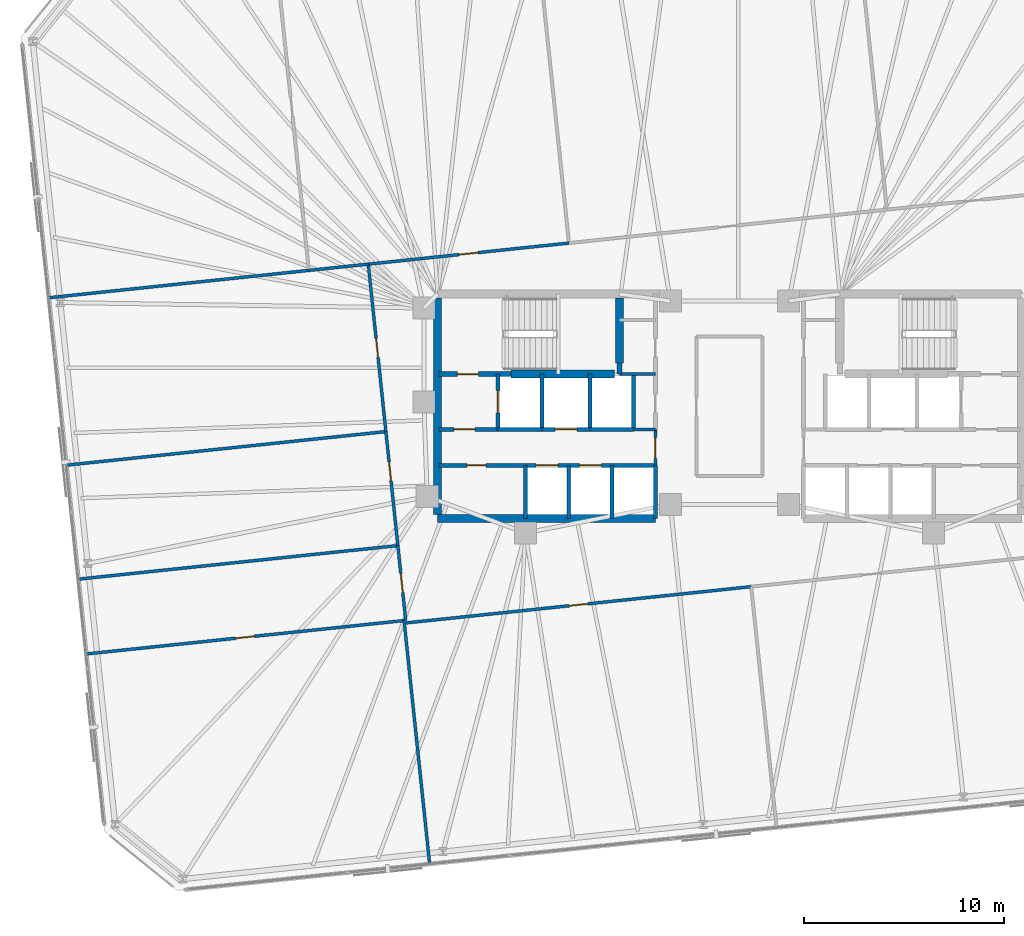
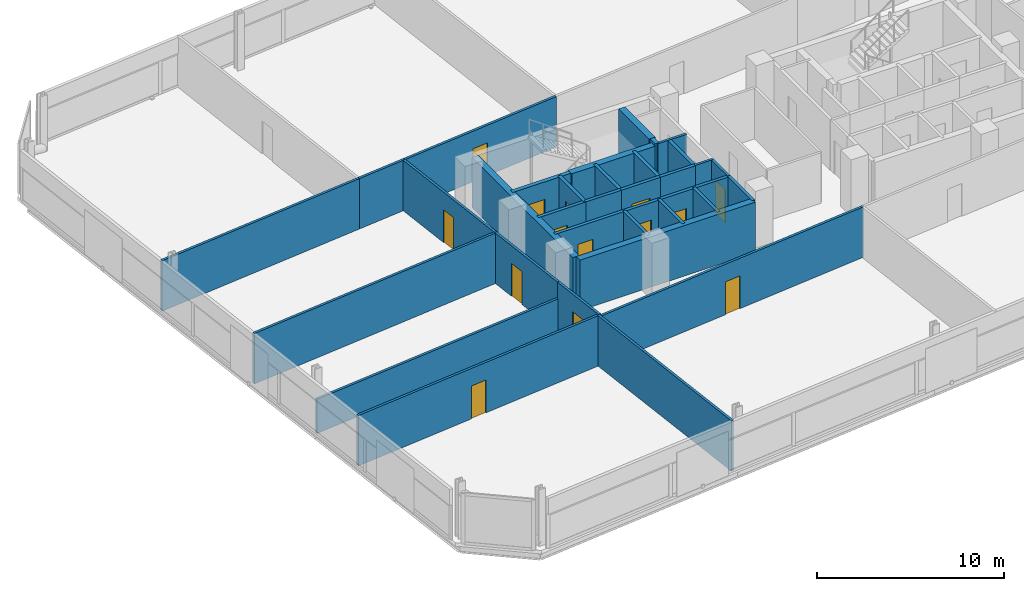
# One storey, part 14 of 18: 33 walls, 14 doors, 14 openings.
"""IFC4 building model written with IfcOpenShell, lengths in metres."""

from ifc_helpers import new_model, si_unit, direction, frame, frame_2d, origin, place, context, subcontext, project, spatial, rectangle, extrude, material, layer, layer_set, type_object, element, fill, save


model = new_model("IFC4")

# Units and contexts
model_context = context("Model", 3, precision=1e-05, world=origin(), true_north=direction((0.0, 1.0)))
body_context = subcontext(model_context, "Body", "Model", "MODEL_VIEW")
ifc_project = project(units=[si_unit("LENGTHUNIT", "METRE"), si_unit("AREAUNIT", "SQUARE_METRE"), si_unit("VOLUMEUNIT", "CUBIC_METRE"), si_unit("PLANEANGLEUNIT", "RADIAN"), si_unit("MASSUNIT", "GRAM", prefix="KILO")], contexts=[model_context])

# Site, building, storey
site_placement = place(None, origin())
site = spatial("IfcSite", under=ifc_project, at=site_placement, CompositionType="ELEMENT")
building_placement = place(site_placement, origin())
building = spatial("IfcBuilding", under=site, at=building_placement, Name="Menara Jurai Vektor", CompositionType="ELEMENT")
storey_placement = place(building_placement, frame((0.0, 0.0, 139.199951171875)))
storey = spatial("IfcBuildingStorey", under=building, at=storey_placement, Name="L35", CompositionType="ELEMENT", Elevation=139.199951171875)

# Wall, opening, door
ifc_material_1 = material(Name="Concrete C40/50", Category="concrete")
ifc_layer_1 = layer(ifc_material_1, 0.25)
ifc_layer_set_1 = layer_set([ifc_layer_1], Name="Concrete C40/50")
wall_type_1 = type_object("IfcWallType", Name="INT-WALL-CORE-250", PredefinedType="STANDARD", material=ifc_layer_set_1)
wall_1_placement = place(storey_placement, frame((-14.5, 1.60009765625, 0.0), z_axis=(0.0, 0.0, 1.0), x_axis=(1.0, 0.0, 0.0)))
wall_1 = element("IfcWall", 1, at=wall_1_placement, inside=storey, type_object=wall_type_1, Name="Interior Wall IW-250 L35", PredefinedType="STANDARD", context=body_context, shape_type="SweptSolid", body=[
    extrude(rectangle(XDim=3.60009765625, YDim=0.25, at=frame_2d((1.800048828125, 0.0))), origin(), (0.0, 0.0, 1.0), 3.300048828125),
])
opening_1_placement = place(wall_1_placement, frame((0.919921875, 0.0, 0.0)))
opening_1 = element("IfcOpeningElement", 2, at=opening_1_placement, cuts=wall_1, Name="Opening D-L35-ST1", PredefinedType="OPENING", context=body_context, shape_type="SweptSolid", body=[
    extrude(rectangle(XDim=1.050048828125, YDim=2.14990234375, at=frame_2d((0.52490234375, 1.074951171875))), frame((0.0, 0.135009765625, 0.0), z_axis=(0.0, -1.0, 0.0), x_axis=(1.0, 0.0, 0.0)), (0.0, 0.0, 1.0), 0.27001953125),
])
ifc_material_2 = material(Name="Fire-Rated Steel Door", Category="steel")
door_type_1 = type_object("IfcDoorType", Name="DR-STAIR-1050", OperationType="NOTDEFINED", PredefinedType="DOOR", material=ifc_material_2)
door_1_placement = place(opening_1_placement, origin())
door_1 = element("IfcDoor", 3, at=door_1_placement, inside=storey, type_object=door_type_1, Name="Exit Stair ST1 Door L35", OperationType="SINGLE_SWING_RIGHT", OverallHeight=2.14990234375, OverallWidth=1.050048828125, PredefinedType="DOOR", context=body_context, shape_type="SweptSolid", body=[
    extrude(rectangle(XDim=1.050048828125, YDim=2.14990234375, at=frame_2d((0.52490234375, 1.074951171875))), frame((0.0, 0.02490234375, 0.0), z_axis=(0.0, -1.0, 0.0), x_axis=(1.0, 0.0, 0.0)), (0.0, 0.0, 1.0), 0.050048828125),
])
fill(opening_1, door_1)

# Wall
wall_2_placement = place(storey_placement, frame((-5.5, 1.60009765625, 0.0), z_axis=(0.0, 0.0, 1.0), x_axis=(0.0, 1.0, 0.0)))
element("IfcWall", 4, at=wall_2_placement, inside=storey, type_object=wall_type_1, Name="Interior Wall IW-250 L35", PredefinedType="STANDARD", context=body_context, shape_type="SweptSolid", body=[
    extrude(rectangle(XDim=0.5498046875, YDim=0.25, at=frame_2d((0.27490234375, 0.0))), origin(), (0.0, 0.0, 1.0), 3.300048828125),
])

# Wall, opening, door
wall_3_placement = place(storey_placement, frame((-11.550048828125, -1.14990234375, 0.0), z_axis=(0.0, 0.0, 1.0), x_axis=(0.0, 1.0, 0.0)))
wall_3 = element("IfcWall", 5, at=wall_3_placement, inside=storey, type_object=wall_type_1, Name="Interior Wall IW-250 L35", PredefinedType="STANDARD", context=body_context, shape_type="SweptSolid", body=[
    extrude(rectangle(XDim=2.75, YDim=0.199951171875, at=frame_2d((1.375, 0.0))), origin(), (0.0, 0.0, 1.0), 3.300048828125),
])
opening_2_placement = place(wall_3_placement, frame((0.824951171875, 0.0, 0.0)))
opening_2 = element("IfcOpeningElement", 6, at=opening_2_placement, cuts=wall_3, Name="Opening LD-L35-FL1", PredefinedType="OPENING", context=body_context, shape_type="SweptSolid", body=[
    extrude(rectangle(XDim=1.10009765625, YDim=2.14990234375, at=frame_2d((0.550048828125, 1.074951171875))), frame((0.0, 0.10986328125, 0.0), z_axis=(0.0, -1.0, 0.0), x_axis=(1.0, 0.0, 0.0)), (0.0, 0.0, 1.0), 0.219970703125),
])
ifc_material_3 = material(Name="Stainless Steel Sliding Lift Landing Door", Category="steel")
door_type_2 = type_object("IfcDoorType", Name="DR-LIFT-FIRE-1100", OperationType="NOTDEFINED", PredefinedType="DOOR", material=ifc_material_3)
door_2_placement = place(opening_2_placement, origin())
door_2 = element("IfcDoor", 7, at=door_2_placement, inside=storey, type_object=door_type_2, Name="Lift Landing Door FL1 L35", OperationType="SLIDING_TO_RIGHT", OverallHeight=2.14990234375, OverallWidth=1.10009765625, PredefinedType="DOOR", context=body_context, shape_type="SweptSolid", body=[
    extrude(rectangle(XDim=1.10009765625, YDim=2.14990234375, at=frame_2d((0.550048828125, 1.074951171875))), frame((0.0, 0.02490234375, 0.0), z_axis=(0.0, -1.0, 0.0), x_axis=(1.0, 0.0, 0.0)), (0.0, 0.0, 1.0), 0.050048828125),
])
fill(opening_2, door_2)

# Wall
wall_4_placement = place(storey_placement, frame((-9.35009765625, -1.14990234375, 0.0), z_axis=(0.0, 0.0, 1.0), x_axis=(0.0, 1.0, 0.0)))
element("IfcWall", 8, at=wall_4_placement, inside=storey, type_object=wall_type_1, Name="Interior Wall IW-250 L35", PredefinedType="STANDARD", context=body_context, shape_type="SweptSolid", body=[
    extrude(rectangle(XDim=2.75, YDim=0.199951171875, at=frame_2d((1.375, 0.0))), origin(), (0.0, 0.0, 1.0), 3.300048828125),
])

# Wall, opening, door
wall_5_placement = place(storey_placement, frame((-14.5, -1.14990234375, 0.0), z_axis=(0.0, 0.0, 1.0), x_axis=(1.0, 0.0, 0.0)))
wall_5 = element("IfcWall", 9, at=wall_5_placement, inside=storey, type_object=wall_type_1, Name="Interior Wall IW-250 L35", PredefinedType="STANDARD", context=body_context, shape_type="SweptSolid", body=[
    extrude(rectangle(XDim=2.949951171875, YDim=0.199951171875, at=frame_2d((1.47509765625, 0.0))), origin(), (0.0, 0.0, 1.0), 3.300048828125),
])
opening_3_placement = place(wall_5_placement, frame((0.75, 0.0, 0.0)))
opening_3 = element("IfcOpeningElement", 10, at=opening_3_placement, cuts=wall_5, Name="Opening D-L35-FFW", PredefinedType="OPENING", context=body_context, shape_type="SweptSolid", body=[
    extrude(rectangle(XDim=1.050048828125, YDim=2.179931640625, at=frame_2d((0.52490234375, 1.08984375))), frame((0.0, 0.10986328125, 0.0), z_axis=(0.0, -1.0, 0.0), x_axis=(1.0, 0.0, 0.0)), (0.0, 0.0, 1.0), 0.219970703125),
])
ifc_material_4 = material(Name="Fire-Rated Timber Door", Category="wood")
door_type_3 = type_object("IfcDoorType", Name="DR-LOBBY-1050", OperationType="NOTDEFINED", PredefinedType="DOOR", material=ifc_material_4)
door_3_placement = place(opening_3_placement, origin())
door_3 = element("IfcDoor", 11, at=door_3_placement, inside=storey, type_object=door_type_3, Name="Fire Lift Lobby Door W L35", OperationType="SINGLE_SWING_RIGHT", OverallHeight=2.179931640625, OverallWidth=1.050048828125, PredefinedType="DOOR", context=body_context, shape_type="SweptSolid", body=[
    extrude(rectangle(XDim=1.050048828125, YDim=2.179931640625, at=frame_2d((0.52490234375, 1.08984375))), frame((0.0, 0.02490234375, 0.0), z_axis=(0.0, -1.0, 0.0), x_axis=(1.0, 0.0, 0.0)), (0.0, 0.0, 1.0), 0.050048828125),
])
fill(opening_3, door_3)

# Wall
wall_6_placement = place(storey_placement, frame((-11.550048828125, -1.14990234375, 0.0), z_axis=(0.0, 0.0, 1.0), x_axis=(1.0, 0.0, 0.0)))
element("IfcWall", 12, at=wall_6_placement, inside=storey, type_object=wall_type_1, Name="Interior Wall IW-250 L35", PredefinedType="STANDARD", context=body_context, shape_type="SweptSolid", body=[
    extrude(rectangle(XDim=2.199951171875, YDim=0.199951171875, at=frame_2d((1.10009765625, 0.0))), origin(), (0.0, 0.0, 1.0), 3.300048828125),
])

# Wall, opening, door
ifc_material_5 = material(Name="Gypsum Fireboard Partition", Category="gypsum")
ifc_layer_2 = layer(ifc_material_5, 0.14990234375)
ifc_layer_set_2 = layer_set([ifc_layer_2], Name="Gypsum Fireboard Partition")
wall_type_2 = type_object("IfcWallType", Name="INT-WALL-CORR-150", PredefinedType="PARTITIONING", material=ifc_layer_set_2)
wall_7_placement = place(storey_placement, frame((-3.699951171875, -2.949951171875, 0.0), z_axis=(0.0, 0.0, 1.0), x_axis=(0.0, 1.0, 0.0)))
wall_7 = element("IfcWall", 13, at=wall_7_placement, inside=storey, type_object=wall_type_2, Name="Interior Wall IW-150 L35", PredefinedType="PARTITIONING", context=body_context, shape_type="SweptSolid", body=[
    extrude(rectangle(XDim=1.800048828125, YDim=0.14990234375, at=frame_2d((0.89990234375, 0.0))), origin(), (0.0, 0.0, 1.0), 3.300048828125),
])
opening_4_placement = place(wall_7_placement, frame((0.35009765625, 0.0, 0.0)))
opening_4 = element("IfcOpeningElement", 14, at=opening_4_placement, cuts=wall_7, Name="Opening D-L35-LLW", PredefinedType="OPENING", context=body_context, shape_type="SweptSolid", body=[
    extrude(rectangle(XDim=1.050048828125, YDim=2.179931640625, at=frame_2d((0.52490234375, 1.08984375))), frame((0.0, 0.0849609375, 0.0), z_axis=(0.0, -1.0, 0.0), x_axis=(1.0, 0.0, 0.0)), (0.0, 0.0, 1.0), 0.169921875),
])
door_4_placement = place(opening_4_placement, origin())
door_4 = element("IfcDoor", 15, at=door_4_placement, inside=storey, type_object=door_type_3, Name="Lift Lobby Corridor Door W L35", OperationType="SINGLE_SWING_LEFT", OverallHeight=2.179931640625, OverallWidth=1.050048828125, PredefinedType="DOOR", context=body_context, shape_type="SweptSolid", body=[
    extrude(rectangle(XDim=1.050048828125, YDim=2.179931640625, at=frame_2d((0.52490234375, 1.08984375))), frame((0.0, 0.02490234375, 0.0), z_axis=(0.0, -1.0, 0.0), x_axis=(1.0, 0.0, 0.0)), (0.0, 0.0, 1.0), 0.050048828125),
])
fill(opening_4, door_4)

# Walls
wall_8_placement = place(storey_placement, frame((-4.7900390625, -1.14990234375, 0.0), z_axis=(0.0, 0.0, 1.0), x_axis=(1.0, 0.0, 0.0)))
element("IfcWall", 16, at=wall_8_placement, inside=storey, type_object=wall_type_2, Name="Interior Wall IW-150 L35", PredefinedType="PARTITIONING", context=body_context, shape_type="SweptSolid", body=[
    extrude(rectangle(XDim=1.090087890625, YDim=0.14990234375, at=frame_2d((0.544921875, 0.0))), origin(), (0.0, 0.0, 1.0), 3.300048828125),
])
wall_9_placement = place(storey_placement, frame((-5.5, 1.60009765625, 0.0), z_axis=(0.0, 0.0, 1.0), x_axis=(1.0, 0.0, 0.0)))
element("IfcWall", 17, at=wall_9_placement, inside=storey, type_object=wall_type_2, Name="Interior Wall IW-150 L35", PredefinedType="PARTITIONING", context=body_context, shape_type="SweptSolid", body=[
    extrude(rectangle(XDim=1.800048828125, YDim=0.14990234375, at=frame_2d((0.89990234375, 0.0))), origin(), (0.0, 0.0, 1.0), 3.300048828125),
])

# Wall, opening, door
wall_10_placement = place(storey_placement, frame((-18.021240234375, 7.09033203125, 0.0), z_axis=(0.0, 0.0, 1.0), x_axis=(0.994522183983, 0.104525717249, 0.0)))
wall_10 = element("IfcWall", 18, at=wall_10_placement, inside=storey, type_object=wall_type_2, Name="Interior Wall IW-150 L35", PredefinedType="PARTITIONING", context=body_context, shape_type="SweptSolid", body=[
    extrude(rectangle(XDim=10.06689453125, YDim=0.14990234375, at=frame_2d((5.033447265625, 0.0))), origin(), (0.0, 0.0, 1.0), 3.300048828125),
])
opening_5_placement = place(wall_10_placement, frame((4.55859375, 0.0, 0.0)))
opening_5 = element("IfcOpeningElement", 19, at=opening_5_placement, cuts=wall_10, Name="Opening D35-07", PredefinedType="OPENING", context=body_context, shape_type="SweptSolid", body=[
    extrude(rectangle(XDim=0.949951171875, YDim=2.14990234375, at=frame_2d((0.47509765625, 1.074951171875))), frame((0.0, 0.0849609375, 0.0), z_axis=(0.0, -1.0, 0.0), x_axis=(1.0, 0.0, 0.0)), (0.0, 0.0, 1.0), 0.169921875),
])
ifc_material_6 = material(Name="Solid Core Timber Fire Door", Category="wood")
door_type_4 = type_object("IfcDoorType", Name="DR-ENTRY-950", OperationType="NOTDEFINED", PredefinedType="DOOR", material=ifc_material_6)
door_5_placement = place(opening_5_placement, origin())
door_5 = element("IfcDoor", 20, at=door_5_placement, inside=storey, type_object=door_type_4, Name="Interior Door D35-07", OperationType="SINGLE_SWING_RIGHT", OverallHeight=2.14990234375, OverallWidth=0.949951171875, PredefinedType="DOOR", context=body_context, shape_type="SweptSolid", body=[
    extrude(rectangle(XDim=0.949951171875, YDim=2.14990234375, at=frame_2d((0.47509765625, 1.074951171875))), frame((0.0, 0.02490234375, 0.0), z_axis=(0.0, -1.0, 0.0), x_axis=(1.0, 0.0, 0.0)), (0.0, 0.0, 1.0), 0.050048828125),
])
fill(opening_5, door_5)

wall_11_placement = place(storey_placement, frame((-16.139892578125, -10.80908203125, 0.0), z_axis=(0.0, 0.0, 1.0), x_axis=(0.994522126729, 0.104526261998, 0.0)))
wall_11 = element("IfcWall", 21, at=wall_11_placement, inside=storey, type_object=wall_type_2, Name="Interior Wall IW-150 L35", PredefinedType="PARTITIONING", context=body_context, shape_type="SweptSolid", body=[
    extrude(rectangle(XDim=17.31689453125, YDim=0.14990234375, at=frame_2d((8.658447265625, 0.0))), origin(), (0.0, 0.0, 1.0), 3.300048828125),
])
opening_6_placement = place(wall_11_placement, frame((8.18359375, 0.0, 0.0)))
opening_6 = element("IfcOpeningElement", 22, at=opening_6_placement, cuts=wall_11, Name="Opening D35-10", PredefinedType="OPENING", context=body_context, shape_type="SweptSolid", body=[
    extrude(rectangle(XDim=0.949951171875, YDim=2.14990234375, at=frame_2d((0.47509765625, 1.074951171875))), frame((0.0, 0.0849609375, 0.0), z_axis=(0.0, -1.0, 0.0), x_axis=(1.0, 0.0, 0.0)), (0.0, 0.0, 1.0), 0.169921875),
])
door_6_placement = place(opening_6_placement, origin())
door_6 = element("IfcDoor", 23, at=door_6_placement, inside=storey, type_object=door_type_4, Name="Interior Door D35-10", OperationType="SINGLE_SWING_LEFT", OverallHeight=2.14990234375, OverallWidth=0.949951171875, PredefinedType="DOOR", context=body_context, shape_type="SweptSolid", body=[
    extrude(rectangle(XDim=0.949951171875, YDim=2.14990234375, at=frame_2d((0.47509765625, 1.074951171875))), frame((0.0, 0.02490234375, 0.0), z_axis=(0.0, -1.0, 0.0), x_axis=(1.0, 0.0, 0.0)), (0.0, 0.0, 1.0), 0.050048828125),
])
fill(opening_6, door_6)

wall_12_placement = place(storey_placement, frame((-16.1533203125, -10.681884765625, 0.0), z_axis=(0.0, 0.0, 1.0), x_axis=(-0.104539173002, 0.994520769671, 0.0)))
wall_12 = element("IfcWall", 24, at=wall_12_placement, inside=storey, type_object=wall_type_2, Name="Interior Wall IW-150 L35", PredefinedType="PARTITIONING", context=body_context, shape_type="SweptSolid", body=[
    extrude(rectangle(XDim=3.7529296875, YDim=0.14990234375, at=frame_2d((1.87646484375, 0.0))), origin(), (0.0, 0.0, 1.0), 3.300048828125),
])
opening_7_placement = place(wall_12_placement, frame((1.401611328125, 0.0, 0.0)))
opening_7 = element("IfcOpeningElement", 25, at=opening_7_placement, cuts=wall_12, Name="Opening D35-12", PredefinedType="OPENING", context=body_context, shape_type="SweptSolid", body=[
    extrude(rectangle(XDim=0.949951171875, YDim=2.14990234375, at=frame_2d((0.47509765625, 1.074951171875))), frame((0.0, 0.0849609375, 0.0), z_axis=(0.0, -1.0, 0.0), x_axis=(1.0, 0.0, 0.0)), (0.0, 0.0, 1.0), 0.169921875),
])
door_7_placement = place(opening_7_placement, origin())
door_7 = element("IfcDoor", 26, at=door_7_placement, inside=storey, type_object=door_type_4, Name="Interior Door D35-12", OperationType="SINGLE_SWING_LEFT", OverallHeight=2.14990234375, OverallWidth=0.949951171875, PredefinedType="DOOR", context=body_context, shape_type="SweptSolid", body=[
    extrude(rectangle(XDim=0.949951171875, YDim=2.14990234375, at=frame_2d((0.47509765625, 1.074951171875))), frame((0.0, 0.02490234375, 0.0), z_axis=(0.0, -1.0, 0.0), x_axis=(1.0, 0.0, 0.0)), (0.0, 0.0, 1.0), 0.050048828125),
])
fill(opening_7, door_7)

wall_13_placement = place(storey_placement, frame((-16.545654296875, -6.949462890625, 0.0), z_axis=(0.0, 0.0, 1.0), x_axis=(-0.104520314957, 0.994522751756, 0.0)))
wall_13 = element("IfcWall", 27, at=wall_13_placement, inside=storey, type_object=wall_type_2, Name="Interior Wall IW-150 L35", PredefinedType="PARTITIONING", context=body_context, shape_type="SweptSolid", body=[
    extrude(rectangle(XDim=5.718017578125, YDim=0.14990234375, at=frame_2d((2.85888671875, 0.0))), origin(), (0.0, 0.0, 1.0), 3.300048828125),
])
opening_8_placement = place(wall_13_placement, frame((3.24169921875, 0.0, 0.0)))
opening_8 = element("IfcOpeningElement", 28, at=opening_8_placement, cuts=wall_13, Name="Opening D35-13", PredefinedType="OPENING", context=body_context, shape_type="SweptSolid", body=[
    extrude(rectangle(XDim=0.949951171875, YDim=2.14990234375, at=frame_2d((0.47509765625, 1.074951171875))), frame((0.0, 0.0849609375, 0.0), z_axis=(0.0, -1.0, 0.0), x_axis=(1.0, 0.0, 0.0)), (0.0, 0.0, 1.0), 0.169921875),
])
door_8_placement = place(opening_8_placement, origin())
door_8 = element("IfcDoor", 29, at=door_8_placement, inside=storey, type_object=door_type_4, Name="Interior Door D35-13", OperationType="SINGLE_SWING_RIGHT", OverallHeight=2.14990234375, OverallWidth=0.949951171875, PredefinedType="DOOR", context=body_context, shape_type="SweptSolid", body=[
    extrude(rectangle(XDim=0.949951171875, YDim=2.14990234375, at=frame_2d((0.47509765625, 1.074951171875))), frame((0.0, 0.02490234375, 0.0), z_axis=(0.0, -1.0, 0.0), x_axis=(1.0, 0.0, 0.0)), (0.0, 0.0, 1.0), 0.050048828125),
])
fill(opening_8, door_8)

wall_14_placement = place(storey_placement, frame((-17.143310546875, -1.2626953125, 0.0), z_axis=(0.0, 0.0, 1.0), x_axis=(-0.104527419485, 0.994522005074, 0.0)))
wall_14 = element("IfcWall", 30, at=wall_14_placement, inside=storey, type_object=wall_type_2, Name="Interior Wall IW-150 L35", PredefinedType="PARTITIONING", context=body_context, shape_type="SweptSolid", body=[
    extrude(rectangle(XDim=8.39892578125, YDim=0.14990234375, at=frame_2d((4.199462890625, 0.0))), origin(), (0.0, 0.0, 1.0), 3.300048828125),
])
opening_9_placement = place(wall_14_placement, frame((3.724609375, 0.0, 0.0)))
opening_9 = element("IfcOpeningElement", 31, at=opening_9_placement, cuts=wall_14, Name="Opening D35-14", PredefinedType="OPENING", context=body_context, shape_type="SweptSolid", body=[
    extrude(rectangle(XDim=0.949951171875, YDim=2.14990234375, at=frame_2d((0.47509765625, 1.074951171875))), frame((0.0, 0.0849609375, 0.0), z_axis=(0.0, -1.0, 0.0), x_axis=(1.0, 0.0, 0.0)), (0.0, 0.0, 1.0), 0.169921875),
])
door_9_placement = place(opening_9_placement, origin())
door_9 = element("IfcDoor", 32, at=door_9_placement, inside=storey, type_object=door_type_4, Name="Interior Door D35-14", OperationType="SINGLE_SWING_LEFT", OverallHeight=2.14990234375, OverallWidth=0.949951171875, PredefinedType="DOOR", context=body_context, shape_type="SweptSolid", body=[
    extrude(rectangle(XDim=0.949951171875, YDim=2.14990234375, at=frame_2d((0.47509765625, 1.074951171875))), frame((0.0, 0.02490234375, 0.0), z_axis=(0.0, -1.0, 0.0), x_axis=(1.0, 0.0, 0.0)), (0.0, 0.0, 1.0), 0.050048828125),
])
fill(opening_9, door_9)

# Walls
wall_15_placement = place(storey_placement, frame((-33.966552734375, 5.414306640625, 0.0), z_axis=(0.0, 0.0, 1.0), x_axis=(0.994520613947, 0.104540654453, 0.0)))
element("IfcWall", 33, at=wall_15_placement, inside=storey, type_object=wall_type_2, Name="Interior Wall IW-150 L35", PredefinedType="PARTITIONING", context=body_context, shape_type="SweptSolid", body=[
    extrude(rectangle(XDim=13.050048828125, YDim=0.14990234375, at=frame_2d((6.52490234375, 0.0))), origin(), (0.0, 0.0, 1.0), 3.300048828125),
])
wall_16_placement = place(storey_placement, frame((-20.988037109375, 6.778564453125, 0.0), z_axis=(0.0, 0.0, 1.0), x_axis=(0.994523823632, 0.104510115436, 0.0)))
element("IfcWall", 34, at=wall_16_placement, inside=storey, type_object=wall_type_2, Name="Interior Wall IW-150 L35", PredefinedType="PARTITIONING", context=body_context, shape_type="SweptSolid", body=[
    extrude(rectangle(XDim=2.983154296875, YDim=0.14990234375, at=frame_2d((1.49169921875, 0.0))), origin(), (0.0, 0.0, 1.0), 3.300048828125),
])
wall_17_placement = place(storey_placement, frame((-14.95849609375, -22.844482421875, 0.0), z_axis=(0.0, 0.0, 1.0), x_axis=(-0.104540236679, 0.994520657862, 0.0)))
element("IfcWall", 35, at=wall_17_placement, inside=storey, type_object=wall_type_2, Name="Interior Wall IW-150 L35", PredefinedType="PARTITIONING", context=body_context, shape_type="SweptSolid", body=[
    extrude(rectangle(XDim=12.220947265625, YDim=0.14990234375, at=frame_2d((6.1103515625, 0.0))), origin(), (0.0, 0.0, 1.0), 3.300048828125),
])

# Wall, opening, door
wall_18_placement = place(storey_placement, frame((-32.0986328125, -12.357666015625, 0.0), z_axis=(0.0, 0.0, 1.0), x_axis=(0.994521795881, 0.104529409818, 0.0)))
wall_18 = element("IfcWall", 36, at=wall_18_placement, inside=storey, type_object=wall_type_2, Name="Interior Wall IW-150 L35", PredefinedType="PARTITIONING", context=body_context, shape_type="SweptSolid", body=[
    extrude(rectangle(XDim=15.949951171875, YDim=0.14990234375, at=frame_2d((7.97509765625, 0.0))), origin(), (0.0, 0.0, 1.0), 3.300048828125),
])
opening_10_placement = place(wall_18_placement, frame((7.5, 0.0, 0.0)))
opening_10 = element("IfcOpeningElement", 37, at=opening_10_placement, cuts=wall_18, Name="Opening D35-19", PredefinedType="OPENING", context=body_context, shape_type="SweptSolid", body=[
    extrude(rectangle(XDim=0.949951171875, YDim=2.14990234375, at=frame_2d((0.47509765625, 1.074951171875))), frame((0.0, 0.0849609375, 0.0), z_axis=(0.0, -1.0, 0.0), x_axis=(1.0, 0.0, 0.0)), (0.0, 0.0, 1.0), 0.169921875),
])
door_10_placement = place(opening_10_placement, origin())
door_10 = element("IfcDoor", 38, at=door_10_placement, inside=storey, type_object=door_type_4, Name="Interior Door D35-19", OperationType="SINGLE_SWING_RIGHT", OverallHeight=2.14990234375, OverallWidth=0.949951171875, PredefinedType="DOOR", context=body_context, shape_type="SweptSolid", body=[
    extrude(rectangle(XDim=0.949951171875, YDim=2.14990234375, at=frame_2d((0.47509765625, 1.074951171875))), frame((0.0, 0.02490234375, 0.0), z_axis=(0.0, -1.0, 0.0), x_axis=(1.0, 0.0, 0.0)), (0.0, 0.0, 1.0), 0.050048828125),
])
fill(opening_10, door_10)

# Walls
wall_19_placement = place(storey_placement, frame((-33.088623046875, -2.938720703125, 0.0), z_axis=(0.0, 0.0, 1.0), x_axis=(0.994521211213, 0.104534972363, 0.0)))
element("IfcWall", 39, at=wall_19_placement, inside=storey, type_object=wall_type_2, Name="Interior Wall IW-150 L35", PredefinedType="PARTITIONING", context=body_context, shape_type="SweptSolid", body=[
    extrude(rectangle(XDim=16.033203125, YDim=0.14990234375, at=frame_2d((8.0166015625, 0.0))), origin(), (0.0, 0.0, 1.0), 3.300048828125),
])
ifc_layer_3 = layer(ifc_material_5, 0.14990234375)
ifc_layer_set_3 = layer_set([ifc_layer_3], Name="Gypsum Fireboard Partition")
wall_type_3 = type_object("IfcWallType", Name="INT-WALL-CORR-150-H4", PredefinedType="PARTITIONING", material=ifc_layer_set_3)
wall_20_placement = place(storey_placement, frame((-32.490966796875, -8.625244140625, 0.0), z_axis=(0.0, 0.0, 1.0), x_axis=(0.994522794159, 0.104519911488, 0.0)))
element("IfcWall", 40, at=wall_20_placement, inside=storey, type_object=wall_type_3, Name="Interior Wall IW-150 L35", PredefinedType="PARTITIONING", context=body_context, shape_type="SweptSolid", body=[
    extrude(rectangle(XDim=16.033203125, YDim=0.14990234375, at=frame_2d((8.0166015625, 0.0))), origin(), (0.0, 0.0, 1.0), 2.239990234375),
])
ifc_layer_4 = layer(ifc_material_1, 0.199951171875)
ifc_layer_set_4 = layer_set([ifc_layer_4], Name="Concrete C40/50")
wall_type_4 = type_object("IfcWallType", Name="INT-WALL-SHAFT-200", PredefinedType="STANDARD", material=ifc_layer_set_4)
wall_21_placement = place(storey_placement, frame((-3.699951171875, -5.60009765625, 0.0), z_axis=(0.0, 0.0, 1.0), x_axis=(0.0, 1.0, 0.0)))
element("IfcWall", 41, at=wall_21_placement, inside=storey, type_object=wall_type_4, Name="Interior Wall IW-200 L35", PredefinedType="STANDARD", context=body_context, shape_type="SweptSolid", body=[
    extrude(rectangle(XDim=2.650146484375, YDim=0.199951171875, at=frame_2d((1.3251953125, 0.0))), origin(), (0.0, 0.0, 1.0), 3.300048828125),
])
wall_22_placement = place(storey_placement, frame((-6.949951171875, -1.14990234375, 0.0), z_axis=(0.0, 0.0, 1.0), x_axis=(0.0, 1.0, 0.0)))
element("IfcWall", 42, at=wall_22_placement, inside=storey, type_object=wall_type_4, Name="Interior Wall IW-200 L35", PredefinedType="STANDARD", context=body_context, shape_type="SweptSolid", body=[
    extrude(rectangle(XDim=2.75, YDim=0.199951171875, at=frame_2d((1.375, 0.0))), origin(), (0.0, 0.0, 1.0), 3.300048828125),
])

# Wall, opening, door
wall_23_placement = place(storey_placement, frame((-9.35009765625, -1.14990234375, 0.0), z_axis=(0.0, 0.0, 1.0), x_axis=(1.0, 0.0, 0.0)))
wall_23 = element("IfcWall", 43, at=wall_23_placement, inside=storey, type_object=wall_type_4, Name="Interior Wall IW-200 L35", PredefinedType="STANDARD", context=body_context, shape_type="SweptSolid", body=[
    extrude(rectangle(XDim=2.400146484375, YDim=0.199951171875, at=frame_2d((1.2001953125, 0.0))), origin(), (0.0, 0.0, 1.0), 3.300048828125),
])
opening_11_placement = place(wall_23_placement, frame((0.64990234375, 0.0, 0.0)))
opening_11 = element("IfcOpeningElement", 44, at=opening_11_placement, cuts=wall_23, Name="Opening LD-L35-SVL1", PredefinedType="OPENING", context=body_context, shape_type="SweptSolid", body=[
    extrude(rectangle(XDim=1.10009765625, YDim=2.14990234375, at=frame_2d((0.550048828125, 1.074951171875))), frame((0.0, 0.10986328125, 0.0), z_axis=(0.0, -1.0, 0.0), x_axis=(1.0, 0.0, 0.0)), (0.0, 0.0, 1.0), 0.219970703125),
])
ifc_material_7 = material(Name="Anodised Stainless Sliding Lift Landing Door", Category="steel")
door_type_5 = type_object("IfcDoorType", Name="DR-LIFT-PASS-1100", OperationType="NOTDEFINED", PredefinedType="DOOR", material=ifc_material_7)
door_11_placement = place(opening_11_placement, origin())
door_11 = element("IfcDoor", 45, at=door_11_placement, inside=storey, type_object=door_type_5, Name="Lift Landing Door SVL1 L35", OperationType="SLIDING_TO_RIGHT", OverallHeight=2.14990234375, OverallWidth=1.10009765625, PredefinedType="DOOR", context=body_context, shape_type="SweptSolid", body=[
    extrude(rectangle(XDim=1.10009765625, YDim=2.14990234375, at=frame_2d((0.550048828125, 1.074951171875))), frame((0.0, 0.02490234375, 0.0), z_axis=(0.0, -1.0, 0.0), x_axis=(1.0, 0.0, 0.0)), (0.0, 0.0, 1.0), 0.050048828125),
])
fill(opening_11, door_11)

# Walls
wall_24_placement = place(storey_placement, frame((-4.7900390625, -1.14990234375, 0.0), z_axis=(0.0, 0.0, 1.0), x_axis=(0.0, 1.0, 0.0)))
element("IfcWall", 46, at=wall_24_placement, inside=storey, type_object=wall_type_4, Name="Interior Wall IW-200 L35", PredefinedType="STANDARD", context=body_context, shape_type="SweptSolid", body=[
    extrude(rectangle(XDim=2.75, YDim=0.199951171875, at=frame_2d((1.375, 0.0))), origin(), (0.0, 0.0, 1.0), 3.300048828125),
])
wall_25_placement = place(storey_placement, frame((-6.949951171875, -1.14990234375, 0.0), z_axis=(0.0, 0.0, 1.0), x_axis=(1.0, 0.0, 0.0)))
element("IfcWall", 47, at=wall_25_placement, inside=storey, type_object=wall_type_4, Name="Interior Wall IW-200 L35", PredefinedType="STANDARD", context=body_context, shape_type="SweptSolid", body=[
    extrude(rectangle(XDim=2.159912109375, YDim=0.199951171875, at=frame_2d((1.080078125, 0.0))), origin(), (0.0, 0.0, 1.0), 3.300048828125),
])

# Wall, openings, doors
wall_26_placement = place(storey_placement, frame((-14.5, -2.949951171875, 0.0), z_axis=(0.0, 0.0, 1.0), x_axis=(1.0, 0.0, 0.0)))
wall_26 = element("IfcWall", 48, at=wall_26_placement, inside=storey, type_object=wall_type_4, Name="Interior Wall IW-200 L35", PredefinedType="STANDARD", context=body_context, shape_type="SweptSolid", body=[
    extrude(rectangle(XDim=10.800048828125, YDim=0.199951171875, at=frame_2d((5.39990234375, 0.0))), origin(), (0.0, 0.0, 1.0), 3.300048828125),
])
opening_12_placement = place(wall_26_placement, frame((4.85009765625, 0.0, 0.0)))
opening_12 = element("IfcOpeningElement", 49, at=opening_12_placement, cuts=wall_26, Name="Opening LD-L35-PM1", PredefinedType="OPENING", context=body_context, shape_type="SweptSolid", body=[
    extrude(rectangle(XDim=1.10009765625, YDim=2.14990234375, at=frame_2d((0.550048828125, 1.074951171875))), frame((0.0, 0.10986328125, 0.0), z_axis=(0.0, -1.0, 0.0), x_axis=(1.0, 0.0, 0.0)), (0.0, 0.0, 1.0), 0.219970703125),
])
opening_13_placement = place(wall_26_placement, frame((7.010009765625, 0.0, 0.0)))
opening_13 = element("IfcOpeningElement", 50, at=opening_13_placement, cuts=wall_26, Name="Opening LD-L35-PM2", PredefinedType="OPENING", context=body_context, shape_type="SweptSolid", body=[
    extrude(rectangle(XDim=1.10009765625, YDim=2.14990234375, at=frame_2d((0.550048828125, 1.074951171875))), frame((0.0, 0.10986328125, 0.0), z_axis=(0.0, -1.0, 0.0), x_axis=(1.0, 0.0, 0.0)), (0.0, 0.0, 1.0), 0.219970703125),
])
opening_14_placement = place(wall_26_placement, frame((1.39990234375, 0.0, 0.0)))
opening_14 = element("IfcOpeningElement", 51, at=opening_14_placement, cuts=wall_26, Name="Opening D35-01", PredefinedType="OPENING", context=body_context, shape_type="SweptSolid", body=[
    extrude(rectangle(XDim=0.949951171875, YDim=2.14990234375, at=frame_2d((0.47509765625, 1.074951171875))), frame((0.0, 0.10986328125, 0.0), z_axis=(0.0, -1.0, 0.0), x_axis=(1.0, 0.0, 0.0)), (0.0, 0.0, 1.0), 0.219970703125),
])
door_12_placement = place(opening_14_placement, origin())
door_12 = element("IfcDoor", 52, at=door_12_placement, inside=storey, type_object=door_type_4, Name="Interior Door D35-01", OperationType="SINGLE_SWING_LEFT", OverallHeight=2.14990234375, OverallWidth=0.949951171875, PredefinedType="DOOR", context=body_context, shape_type="SweptSolid", body=[
    extrude(rectangle(XDim=0.949951171875, YDim=2.14990234375, at=frame_2d((0.47509765625, 1.074951171875))), frame((0.0, 0.02490234375, 0.0), z_axis=(0.0, -1.0, 0.0), x_axis=(1.0, 0.0, 0.0)), (0.0, 0.0, 1.0), 0.050048828125),
])
fill(opening_14, door_12)
door_13_placement = place(opening_12_placement, origin())
door_13 = element("IfcDoor", 53, at=door_13_placement, inside=storey, type_object=door_type_5, Name="Lift Landing Door PM1 L35", OperationType="SLIDING_TO_LEFT", OverallHeight=2.14990234375, OverallWidth=1.10009765625, PredefinedType="DOOR", context=body_context, shape_type="SweptSolid", body=[
    extrude(rectangle(XDim=1.10009765625, YDim=2.14990234375, at=frame_2d((0.550048828125, 1.074951171875))), frame((0.0, 0.02490234375, 0.0), z_axis=(0.0, -1.0, 0.0), x_axis=(1.0, 0.0, 0.0)), (0.0, 0.0, 1.0), 0.050048828125),
])
fill(opening_12, door_13)
door_14_placement = place(opening_13_placement, origin())
door_14 = element("IfcDoor", 54, at=door_14_placement, inside=storey, type_object=door_type_5, Name="Lift Landing Door PM2 L35", OperationType="SLIDING_TO_LEFT", OverallHeight=2.14990234375, OverallWidth=1.10009765625, PredefinedType="DOOR", context=body_context, shape_type="SweptSolid", body=[
    extrude(rectangle(XDim=1.10009765625, YDim=2.14990234375, at=frame_2d((0.550048828125, 1.074951171875))), frame((0.0, 0.02490234375, 0.0), z_axis=(0.0, -1.0, 0.0), x_axis=(1.0, 0.0, 0.0)), (0.0, 0.0, 1.0), 0.050048828125),
])
fill(opening_13, door_14)

# Walls
wall_27_placement = place(storey_placement, frame((-5.860107421875, -5.60009765625, 0.0), z_axis=(0.0, 0.0, 1.0), x_axis=(0.0, 1.0, 0.0)))
element("IfcWall", 55, at=wall_27_placement, inside=storey, type_object=wall_type_4, Name="Interior Wall IW-200 L35", PredefinedType="STANDARD", context=body_context, shape_type="SweptSolid", body=[
    extrude(rectangle(XDim=2.650146484375, YDim=0.199951171875, at=frame_2d((1.3251953125, 0.0))), origin(), (0.0, 0.0, 1.0), 3.300048828125),
])
for number, where, z_axis, x_axis, name in (
    (56, (-10.179931640625, -5.60009765625, 0.0), (0.0, 0.0, 1.0), (0.0, 1.0, 0.0), "Interior Wall IW-200 L35"),
    (57, (-8.02001953125, -5.60009765625, 0.0), (0.0, 0.0, 1.0), (0.0, 1.0, 0.0), "Interior Wall IW-200 L35"),
):
    element("IfcWall", number, at=place(storey_placement, frame(where, z_axis=z_axis, x_axis=x_axis)), inside=storey, type_object=wall_type_4, Name=name, PredefinedType="STANDARD", context=body_context, shape_type="SweptSolid", body=[
        extrude(rectangle(XDim=2.650146484375, YDim=0.179931640625, at=frame_2d((1.3251953125, 0.0))), origin(), (0.0, 0.0, 1.0), 3.300048828125),
    ])
ifc_material_8 = material(Name="Concrete C50/60", Category="concrete")
ifc_layer_5 = layer(ifc_material_8, 0.39990234375)
ifc_layer_set_5 = layer_set([ifc_layer_5], Name="Concrete C50/60")
wall_type_5 = type_object("IfcWallType", Name="STR-WALL-CORE400", PredefinedType="SHEAR", material=ifc_layer_set_5)
wall_28_placement = place(storey_placement, frame((-14.56005859375, -5.60009765625, 0.0), z_axis=(0.0, 0.0, 1.0), x_axis=(1.0, 0.0, 0.0)))
element("IfcWall", 58, at=wall_28_placement, inside=storey, type_object=wall_type_5, Name="Core Shear Wall CW-W-S L35", PredefinedType="SHEAR", context=body_context, shape_type="SweptSolid", body=[
    extrude(rectangle(XDim=10.860107421875, YDim=0.39990234375, at=frame_2d((5.43017578125, 0.0))), origin(), (0.0, 0.0, 1.0), 3.300048828125),
])
wall_29_placement = place(storey_placement, frame((-14.56005859375, -5.39990234375, 0.0), z_axis=(0.0, 0.0, 1.0), x_axis=(0.0, 1.0, 0.0)))
element("IfcWall", 59, at=wall_29_placement, inside=storey, type_object=wall_type_5, Name="Core Shear Wall CW-W-W L35", PredefinedType="SHEAR", context=body_context, shape_type="SweptSolid", body=[
    extrude(rectangle(XDim=10.7998046875, YDim=0.39990234375, at=frame_2d((5.39990234375, 0.0))), origin(), (0.0, 0.0, 1.0), 3.300048828125),
])
wall_30_placement = place(storey_placement, frame((-5.5, 2.14990234375, 0.0), z_axis=(0.0, 0.0, 1.0), x_axis=(0.0, 1.0, 0.0)))
element("IfcWall", 60, at=wall_30_placement, inside=storey, type_object=wall_type_5, Name="Core Shear Wall CW-W-ST L35", PredefinedType="SHEAR", context=body_context, shape_type="SweptSolid", body=[
    extrude(rectangle(XDim=3.25, YDim=0.39990234375, at=frame_2d((1.625, 0.0))), origin(), (0.0, 0.0, 1.0), 3.300048828125),
])
wall_31_placement = place(storey_placement, frame((-10.89990234375, 1.60009765625, 0.0), z_axis=(0.0, 0.0, 1.0), x_axis=(1.0, 0.0, 0.0)))
element("IfcWall", 61, at=wall_31_placement, inside=storey, type_object=wall_type_5, Name="Core Shear Wall CW-W-STS L35", PredefinedType="SHEAR", context=body_context, shape_type="SweptSolid", body=[
    extrude(rectangle(XDim=5.14990234375, YDim=0.39990234375, at=frame_2d((2.574951171875, 0.0))), origin(), (0.0, 0.0, 1.0), 3.300048828125),
])

save(model, "model.ifc")
